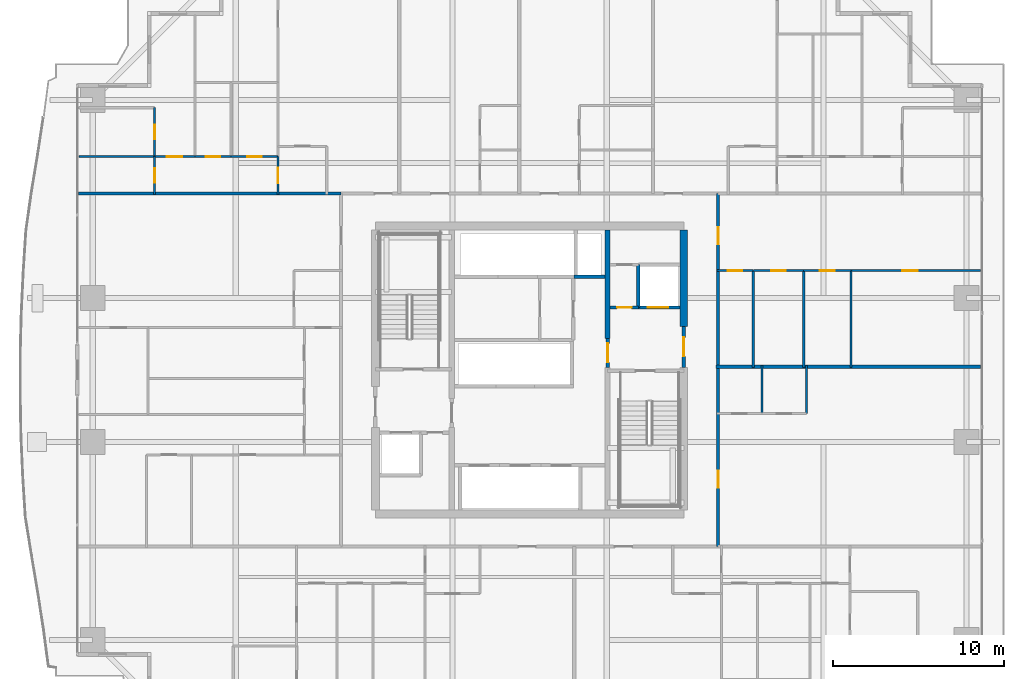
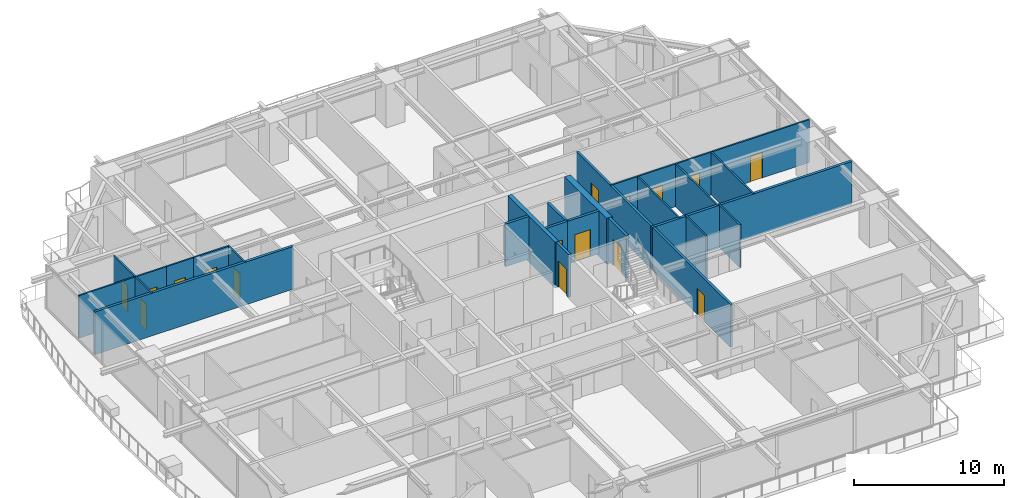
# One storey, part 25 of 34: 27 walls, 16 doors, 16 openings.
"""IFC4 building model written with IfcOpenShell, lengths in metres."""

from ifc_helpers import new_model, si_unit, direction, frame, frame_2d, origin, place, context, subcontext, project, spatial, rectangle, extrude, source, transform, mapped, material, layer, layer_set, type_object, element, fill, save


model = new_model("IFC4")

# Units and contexts
model_context = context("Model", 3, precision=1e-05, world=origin(), true_north=direction((0.0, 1.0)))
body_context = subcontext(model_context, "Body", "Model", "MODEL_VIEW")
ifc_project = project(units=[si_unit("LENGTHUNIT", "METRE"), si_unit("AREAUNIT", "SQUARE_METRE"), si_unit("VOLUMEUNIT", "CUBIC_METRE"), si_unit("PLANEANGLEUNIT", "RADIAN"), si_unit("MASSUNIT", "GRAM", prefix="KILO")], contexts=[model_context])

# Site, building, storey
site_placement = place(None, origin())
site = spatial("IfcSite", under=ifc_project, at=site_placement, CompositionType="ELEMENT")
building_placement = place(site_placement, origin())
building = spatial("IfcBuilding", under=site, at=building_placement, Name="Serunith Strait Residences", CompositionType="ELEMENT")
storey_placement = place(building_placement, frame((0.0, 0.0, 101.699951171875)))
storey = spatial("IfcBuildingStorey", under=building, at=storey_placement, Name="L25", CompositionType="ELEMENT", Elevation=101.699951171875)

# Wall, openings, doors
ifc_material_1 = material(Name="Fire-rated acoustic gypsum partition")
ifc_layer_1 = layer(ifc_material_1, 0.179931640625, Name="Fire-rated acoustic gypsum partition")
ifc_layer_set_1 = layer_set([ifc_layer_1], Name="Fire-rated acoustic gypsum partition")
wall_type_1 = type_object("IfcWallType", Name="IW-CORR-180", PredefinedType="PARTITIONING", material=ifc_layer_set_1)
wall_1_placement = place(storey_placement, frame((43.39990234375, 14.89990234375, 0.0), z_axis=(0.0, 0.0, 1.0), x_axis=(0.0, 1.0, 0.0)))
wall_1 = element("IfcWall", 1, at=wall_1_placement, inside=storey, type_object=wall_type_1, Name="L25 Partition Wall 027", PredefinedType="PARTITIONING", context=body_context, shape_type="SweptSolid", body=[
    extrude(rectangle(XDim=20.60009765625, YDim=0.179931640625, at=frame_2d((10.300048828125, 0.0))), origin(), (0.0, 0.0, 1.0), 3.489990234375),
])
opening_1_placement = place(wall_1_placement, frame((3.429931640625, 0.0, 0.0)))
opening_1 = element("IfcOpeningElement", 2, at=opening_1_placement, cuts=wall_1, Name="Opening D-APT1000", PredefinedType="OPENING", context=body_context, shape_type="SweptSolid", body=[
    extrude(rectangle(XDim=1.0, YDim=2.14990234375, at=frame_2d((0.5, 1.074951171875))), frame((0.0, 0.10009765625, 0.0), z_axis=(0.0, -1.0, 0.0), x_axis=(1.0, 0.0, 0.0)), (0.0, 0.0, 1.0), 0.199951171875),
])
opening_2_placement = place(wall_1_placement, frame((17.639892578125, 0.0, 0.0)))
opening_2 = element("IfcOpeningElement", 3, at=opening_2_placement, cuts=wall_1, Name="Opening D-APT1000", PredefinedType="OPENING", context=body_context, shape_type="SweptSolid", body=[
    extrude(rectangle(XDim=1.0, YDim=2.14990234375, at=frame_2d((0.5, 1.074951171875))), frame((0.0, 0.10009765625, 0.0), z_axis=(0.0, -1.0, 0.0), x_axis=(1.0, 0.0, 0.0)), (0.0, 0.0, 1.0), 0.199951171875),
])
ifc_material_2 = material(Name="Solid timber engineered fire door", Category="wood")
door_type_1 = type_object("IfcDoorType", Name="ID-APT-1000", OperationType="NOTDEFINED", PredefinedType="DOOR", material=ifc_material_2)
shared_shape_1 = source(origin(), body_context, "Body", "SweptSolid", [
    extrude(rectangle(XDim=1.0, YDim=2.14990234375, at=frame_2d((0.5, 1.074951171875))), frame((0.0, 0.02490234375, 0.0), z_axis=(0.0, -1.0, 0.0), x_axis=(1.0, 0.0, 0.0)), (0.0, 0.0, 1.0), 0.050048828125),
])
door_1_placement = place(opening_1_placement, origin())
door_1 = element("IfcDoor", 4, at=door_1_placement, inside=storey, type_object=door_type_1, Name="L25 Unit 08 Entrance Door", OperationType="SINGLE_SWING_RIGHT", OverallHeight=2.14990234375, OverallWidth=1.0, PredefinedType="DOOR", context=body_context, shape_type="MappedRepresentation", body=[
    mapped(shared_shape_1, transform((0.0, 0.0, 0.0), scale=1.0)),
])
fill(opening_1, door_1)
door_2_placement = place(opening_2_placement, origin())
door_2 = element("IfcDoor", 5, at=door_2_placement, inside=storey, type_object=door_type_1, Name="L25 Unit 09 Entrance Door", OperationType="SINGLE_SWING_LEFT", OverallHeight=2.14990234375, OverallWidth=1.0, PredefinedType="DOOR", context=body_context, shape_type="MappedRepresentation", body=[
    mapped(shared_shape_1, transform((0.0, 0.0, 0.0), scale=1.0)),
])
fill(opening_2, door_2)

# Wall, opening, door
ifc_material_3 = material(Name="Lightweight steel-stud gypsum partition", Category="steel")
ifc_layer_2 = layer(ifc_material_3, 0.1201171875, Name="Lightweight steel-stud gypsum partition")
ifc_layer_set_2 = layer_set([ifc_layer_2], Name="Lightweight steel-stud gypsum partition")
wall_type_2 = type_object("IfcWallType", Name="IW-PART-120", PredefinedType="PARTITIONING", material=ifc_layer_set_2)
wall_2_placement = place(storey_placement, frame((17.7099609375, 37.64990234375, 0.0), z_axis=(0.0, 0.0, 1.0), x_axis=(0.0, -1.0, 0.0)))
wall_2 = element("IfcWall", 6, at=wall_2_placement, inside=storey, type_object=wall_type_2, Name="L25 Partition Wall 064", PredefinedType="PARTITIONING", context=body_context, shape_type="SweptSolid", body=[
    extrude(rectangle(XDim=2.2099609375, YDim=0.1201171875, at=frame_2d((1.10498046875, 0.0))), origin(), (0.0, 0.0, 1.0), 3.489990234375),
])
opening_3_placement = place(wall_2_placement, frame((0.655029296875, 0.0, 0.0)))
opening_3 = element("IfcOpeningElement", 7, at=opening_3_placement, cuts=wall_2, Name="Opening D-RM900", PredefinedType="OPENING", context=body_context, shape_type="SweptSolid", body=[
    extrude(rectangle(XDim=0.89990234375, YDim=2.10009765625, at=frame_2d((0.449951171875, 1.050048828125))), frame((0.0, 0.070068359375, 0.0), z_axis=(0.0, -1.0, 0.0), x_axis=(1.0, 0.0, 0.0)), (0.0, 0.0, 1.0), 0.14013671875),
])
ifc_material_4 = material(Name="Engineered timber flush bedroom door", Category="wood")
door_type_2 = type_object("IfcDoorType", Name="ID-ROOM-900", OperationType="NOTDEFINED", PredefinedType="DOOR", material=ifc_material_4)
shared_shape_2 = source(origin(), body_context, "Body", "SweptSolid", [
    extrude(rectangle(XDim=0.89990234375, YDim=2.10009765625, at=frame_2d((0.449951171875, 1.050048828125))), frame((0.0, 0.02490234375, 0.0), z_axis=(0.0, -1.0, 0.0), x_axis=(1.0, 0.0, 0.0)), (0.0, 0.0, 1.0), 0.050048828125),
])
door_3_placement = place(opening_3_placement, origin())
door_3 = element("IfcDoor", 8, at=door_3_placement, inside=storey, type_object=door_type_2, Name="L25 Hall W 2503 Door", OperationType="SINGLE_SWING_LEFT", OverallHeight=2.10009765625, OverallWidth=0.89990234375, PredefinedType="DOOR", context=body_context, shape_type="MappedRepresentation", body=[
    mapped(shared_shape_2, transform((0.0, 0.0, 0.0), scale=1.0)),
])
fill(opening_3, door_3)

wall_3_placement = place(storey_placement, frame((12.860107421875, 37.64990234375, 0.0), z_axis=(0.0, 0.0, 1.0), x_axis=(1.0, 0.0, 0.0)))
wall_3 = element("IfcWall", 9, at=wall_3_placement, inside=storey, type_object=wall_type_2, Name="L25 Partition Wall 070", PredefinedType="PARTITIONING", context=body_context, shape_type="SweptSolid", body=[
    extrude(rectangle(XDim=2.099853515625, YDim=0.1201171875, at=frame_2d((1.0498046875, 0.0))), origin(), (0.0, 0.0, 1.0), 3.489990234375),
])
opening_4_placement = place(wall_3_placement, frame((0.625, 0.0, 0.0)))
opening_4 = element("IfcOpeningElement", 10, at=opening_4_placement, cuts=wall_3, Name="Opening D-BTH850", PredefinedType="OPENING", context=body_context, shape_type="SweptSolid", body=[
    extrude(rectangle(XDim=0.85009765625, YDim=2.10009765625, at=frame_2d((0.425048828125, 1.050048828125))), frame((0.0, 0.070068359375, 0.0), z_axis=(0.0, -1.0, 0.0), x_axis=(1.0, 0.0, 0.0)), (0.0, 0.0, 1.0), 0.14013671875),
])
ifc_material_5 = material(Name="Moisture-resistant timber bathroom door", Category="wood")
door_type_3 = type_object("IfcDoorType", Name="ID-BATH-850", OperationType="NOTDEFINED", PredefinedType="DOOR", material=ifc_material_5)
shared_shape_3 = source(origin(), body_context, "Body", "SweptSolid", [
    extrude(rectangle(XDim=0.85009765625, YDim=2.10009765625, at=frame_2d((0.425048828125, 1.050048828125))), frame((0.0, 0.02490234375, 0.0), z_axis=(0.0, -1.0, 0.0), x_axis=(1.0, 0.0, 0.0)), (0.0, 0.0, 1.0), 0.050048828125),
])
door_4_placement = place(opening_4_placement, origin())
door_4 = element("IfcDoor", 11, at=door_4_placement, inside=storey, type_object=door_type_3, Name="L25 Bathroom 2503 Door", OperationType="SINGLE_SWING_LEFT", OverallHeight=2.10009765625, OverallWidth=0.85009765625, PredefinedType="DOOR", context=body_context, shape_type="MappedRepresentation", body=[
    mapped(shared_shape_3, transform((0.0, 0.0, 0.0), scale=1.0)),
])
fill(opening_4, door_4)

wall_4_placement = place(storey_placement, frame((14.9619140625, 37.64990234375, 0.0), z_axis=(0.0, 0.0, 1.0), x_axis=(1.0, 0.0, 0.0)))
wall_4 = element("IfcWall", 12, at=wall_4_placement, inside=storey, type_object=wall_type_2, Name="L25 Partition Wall 071", PredefinedType="PARTITIONING", context=body_context, shape_type="SweptSolid", body=[
    extrude(rectangle(XDim=2.748046875, YDim=0.1201171875, at=frame_2d((1.3740234375, 0.0))), origin(), (0.0, 0.0, 1.0), 3.489990234375),
])
opening_5_placement = place(wall_4_placement, frame((0.948974609375, 0.0, 0.0)))
opening_5 = element("IfcOpeningElement", 13, at=opening_5_placement, cuts=wall_4, Name="Opening D-RM850", PredefinedType="OPENING", context=body_context, shape_type="SweptSolid", body=[
    extrude(rectangle(XDim=0.85009765625, YDim=2.10009765625, at=frame_2d((0.425048828125, 1.050048828125))), frame((0.0, 0.070068359375, 0.0), z_axis=(0.0, -1.0, 0.0), x_axis=(1.0, 0.0, 0.0)), (0.0, 0.0, 1.0), 0.14013671875),
])
ifc_material_6 = material(Name="Engineered timber flush study and kitchen door", Category="wood")
door_type_4 = type_object("IfcDoorType", Name="ID-ROOM-850", OperationType="NOTDEFINED", PredefinedType="DOOR", material=ifc_material_6)
door_5_placement = place(opening_5_placement, origin())
door_5 = element("IfcDoor", 14, at=door_5_placement, inside=storey, type_object=door_type_4, Name="L25 Formal Dining Room 2503 Door", OperationType="SINGLE_SWING_RIGHT", OverallHeight=2.10009765625, OverallWidth=0.85009765625, PredefinedType="DOOR", context=body_context, shape_type="MappedRepresentation", body=[
    mapped(shared_shape_3, transform((0.0, 0.0, 0.0), scale=1.0)),
])
fill(opening_5, door_5)

wall_5_placement = place(storey_placement, frame((10.510009765625, 37.64990234375, 0.0), z_axis=(0.0, 0.0, 1.0), x_axis=(1.0, 0.0, 0.0)))
wall_5 = element("IfcWall", 15, at=wall_5_placement, inside=storey, type_object=wall_type_2, Name="L25 Partition Wall 072", PredefinedType="PARTITIONING", context=body_context, shape_type="SweptSolid", body=[
    extrude(rectangle(XDim=2.347900390625, YDim=0.1201171875, at=frame_2d((1.173828125, 0.0))), origin(), (0.0, 0.0, 1.0), 3.489990234375),
])
opening_6_placement = place(wall_5_placement, frame((0.72412109375, 0.0, 0.0)))
opening_6 = element("IfcOpeningElement", 16, at=opening_6_placement, cuts=wall_5, Name="Opening D-RM900", PredefinedType="OPENING", context=body_context, shape_type="SweptSolid", body=[
    extrude(rectangle(XDim=0.89990234375, YDim=2.10009765625, at=frame_2d((0.449951171875, 1.050048828125))), frame((0.0, 0.070068359375, 0.0), z_axis=(0.0, -1.0, 0.0), x_axis=(1.0, 0.0, 0.0)), (0.0, 0.0, 1.0), 0.14013671875),
])
door_6_placement = place(opening_6_placement, origin())
door_6 = element("IfcDoor", 17, at=door_6_placement, inside=storey, type_object=door_type_2, Name="L25 Master Bedroom W 2503 Door", OperationType="SINGLE_SWING_LEFT", OverallHeight=2.10009765625, OverallWidth=0.89990234375, PredefinedType="DOOR", context=body_context, shape_type="MappedRepresentation", body=[
    mapped(shared_shape_2, transform((0.0, 0.0, 0.0), scale=1.0)),
])
fill(opening_6, door_6)

# Wall
wall_6_placement = place(storey_placement, frame((6.094970703125, 37.64990234375, 0.0), z_axis=(0.0, 0.0, 1.0), x_axis=(1.0, 0.0, 0.0)))
element("IfcWall", 18, at=wall_6_placement, inside=storey, type_object=wall_type_2, Name="L25 Partition Wall 074", PredefinedType="PARTITIONING", context=body_context, shape_type="SweptSolid", body=[
    extrude(rectangle(XDim=4.4130859375, YDim=0.1201171875, at=frame_2d((2.20654296875, 0.0))), origin(), (0.0, 0.0, 1.0), 3.489990234375),
])

# Wall, opening, door
wall_7_placement = place(storey_placement, frame((10.510009765625, 40.506103515625, 0.0), z_axis=(0.0, 0.0, 1.0), x_axis=(0.0, -1.0, 0.0)))
wall_7 = element("IfcWall", 19, at=wall_7_placement, inside=storey, type_object=wall_type_2, Name="L25 Partition Wall 075", PredefinedType="PARTITIONING", context=body_context, shape_type="SweptSolid", body=[
    extrude(rectangle(XDim=2.856201171875, YDim=0.1201171875, at=frame_2d((1.42822265625, 0.0))), origin(), (0.0, 0.0, 1.0), 3.489990234375),
])
opening_7_placement = place(wall_7_placement, frame((1.0029296875, 0.0, 0.0)))
opening_7 = element("IfcOpeningElement", 20, at=opening_7_placement, cuts=wall_7, Name="Opening D-BTH850", PredefinedType="OPENING", context=body_context, shape_type="SweptSolid", body=[
    extrude(rectangle(XDim=0.85009765625, YDim=2.10009765625, at=frame_2d((0.425048828125, 1.050048828125))), frame((0.0, 0.070068359375, 0.0), z_axis=(0.0, -1.0, 0.0), x_axis=(1.0, 0.0, 0.0)), (0.0, 0.0, 1.0), 0.14013671875),
])
door_7_placement = place(opening_7_placement, origin())
door_7 = element("IfcDoor", 21, at=door_7_placement, inside=storey, type_object=door_type_3, Name="L25 En-suite Bathroom W 2503 Door", OperationType="SINGLE_SWING_RIGHT", OverallHeight=2.10009765625, OverallWidth=0.85009765625, PredefinedType="DOOR", context=body_context, shape_type="MappedRepresentation", body=[
    mapped(shared_shape_3, transform((0.0, 0.0, 0.0), scale=1.0)),
])
fill(opening_7, door_7)

wall_8_placement = place(storey_placement, frame((10.510009765625, 37.64794921875, 0.0), z_axis=(0.0, 0.0, 1.0), x_axis=(0.0, -1.0, 0.0)))
wall_8 = element("IfcWall", 22, at=wall_8_placement, inside=storey, type_object=wall_type_2, Name="L25 Partition Wall 076", PredefinedType="PARTITIONING", context=body_context, shape_type="SweptSolid", body=[
    extrude(rectangle(XDim=2.2080078125, YDim=0.1201171875, at=frame_2d((1.10400390625, 0.0))), origin(), (0.0, 0.0, 1.0), 3.489990234375),
])
opening_8_placement = place(wall_8_placement, frame((0.678955078125, 0.0, 0.0)))
opening_8 = element("IfcOpeningElement", 23, at=opening_8_placement, cuts=wall_8, Name="Opening D-RM850", PredefinedType="OPENING", context=body_context, shape_type="SweptSolid", body=[
    extrude(rectangle(XDim=0.85009765625, YDim=2.10009765625, at=frame_2d((0.425048828125, 1.050048828125))), frame((0.0, 0.070068359375, 0.0), z_axis=(0.0, -1.0, 0.0), x_axis=(1.0, 0.0, 0.0)), (0.0, 0.0, 1.0), 0.14013671875),
])
door_8_placement = place(opening_8_placement, origin())
door_8 = element("IfcDoor", 24, at=door_8_placement, inside=storey, type_object=door_type_4, Name="L25 Wardrobe W 2503 Door", OperationType="SINGLE_SWING_LEFT", OverallHeight=2.10009765625, OverallWidth=0.85009765625, PredefinedType="DOOR", context=body_context, shape_type="MappedRepresentation", body=[
    mapped(shared_shape_3, transform((0.0, 0.0, 0.0), scale=1.0)),
])
fill(opening_8, door_8)

# Walls
for number, where, z_axis, x_axis, name in (
    (25, (45.949951171875, 22.64990234375, 0.0), (0.0, 0.0, 1.0), (0.0, 1.0, 0.0), "L25 Partition Wall 118"),
    (26, (48.550048828125, 22.64990234375, 0.0), (0.0, 0.0, 1.0), (0.0, 1.0, 0.0), "L25 Partition Wall 119"),
):
    element("IfcWall", number, at=place(storey_placement, frame(where, z_axis=z_axis, x_axis=x_axis)), inside=storey, type_object=wall_type_2, Name=name, PredefinedType="PARTITIONING", context=body_context, shape_type="SweptSolid", body=[
        extrude(rectangle(XDim=2.81005859375, YDim=0.1201171875, at=frame_2d((1.405029296875, 0.0))), origin(), (0.0, 0.0, 1.0), 3.489990234375),
    ])

# Wall, opening, door
wall_9_placement = place(storey_placement, frame((58.705078125, 31.0, 0.0), z_axis=(0.0, 0.0, 1.0), x_axis=(-1.0, 0.0, 0.0)))
wall_9 = element("IfcWall", 27, at=wall_9_placement, inside=storey, type_object=wall_type_2, Name="L25 Partition Wall 120", PredefinedType="PARTITIONING", context=body_context, shape_type="SweptSolid", body=[
    extrude(rectangle(XDim=7.55908203125, YDim=0.1201171875, at=frame_2d((3.779541015625, 0.0))), origin(), (0.0, 0.0, 1.0), 3.489990234375),
])
opening_9_placement = place(wall_9_placement, frame((3.662109375, 0.0, 0.0)))
opening_9 = element("IfcOpeningElement", 28, at=opening_9_placement, cuts=wall_9, Name="Opening D-RM900", PredefinedType="OPENING", context=body_context, shape_type="SweptSolid", body=[
    extrude(rectangle(XDim=0.89990234375, YDim=2.10009765625, at=frame_2d((0.449951171875, 1.050048828125))), frame((0.0, 0.070068359375, 0.0), z_axis=(0.0, -1.0, 0.0), x_axis=(1.0, 0.0, 0.0)), (0.0, 0.0, 1.0), 0.14013671875),
])
door_9_placement = place(opening_9_placement, origin())
door_9 = element("IfcDoor", 29, at=door_9_placement, inside=storey, type_object=door_type_2, Name="L25 Master Bedroom 1 2509 Door", OperationType="SINGLE_SWING_RIGHT", OverallHeight=2.10009765625, OverallWidth=0.89990234375, PredefinedType="DOOR", context=body_context, shape_type="MappedRepresentation", body=[
    mapped(shared_shape_2, transform((0.0, 0.0, 0.0), scale=1.0)),
])
fill(opening_9, door_9)

# Walls
for number, where, z_axis, x_axis, name in (
    (30, (51.14599609375, 25.340087890625, 0.0), (0.0, 0.0, 1.0), (0.0, 1.0, 0.0), "L25 Partition Wall 121"),
    (31, (48.39599609375, 25.340087890625, 0.0), (0.0, 0.0, 1.0), (0.0, 1.0, 0.0), "L25 Partition Wall 122"),
    (32, (45.449951171875, 25.340087890625, 0.0), (0.0, 0.0, 1.0), (0.0, 1.0, 0.0), "L25 Partition Wall 123"),
):
    element("IfcWall", number, at=place(storey_placement, frame(where, z_axis=z_axis, x_axis=x_axis)), inside=storey, type_object=wall_type_2, Name=name, PredefinedType="PARTITIONING", context=body_context, shape_type="SweptSolid", body=[
        extrude(rectangle(XDim=5.659912109375, YDim=0.1201171875, at=frame_2d((2.830078125, 0.0))), origin(), (0.0, 0.0, 1.0), 3.489990234375),
    ])

# Wall, opening, door
wall_10_placement = place(storey_placement, frame((51.14404296875, 31.0, 0.0), z_axis=(0.0, 0.0, 1.0), x_axis=(-1.0, 0.0, 0.0)))
wall_10 = element("IfcWall", 33, at=wall_10_placement, inside=storey, type_object=wall_type_2, Name="L25 Partition Wall 124", PredefinedType="PARTITIONING", context=body_context, shape_type="SweptSolid", body=[
    extrude(rectangle(XDim=2.748046875, YDim=0.1201171875, at=frame_2d((1.3740234375, 0.0))), origin(), (0.0, 0.0, 1.0), 3.489990234375),
])
opening_10_placement = place(wall_10_placement, frame((0.948974609375, 0.0, 0.0)))
opening_10 = element("IfcOpeningElement", 34, at=opening_10_placement, cuts=wall_10, Name="Opening D-RM850", PredefinedType="OPENING", context=body_context, shape_type="SweptSolid", body=[
    extrude(rectangle(XDim=0.85009765625, YDim=2.10009765625, at=frame_2d((0.425048828125, 1.050048828125))), frame((0.0, 0.070068359375, 0.0), z_axis=(0.0, -1.0, 0.0), x_axis=(1.0, 0.0, 0.0)), (0.0, 0.0, 1.0), 0.14013671875),
])
door_10_placement = place(opening_10_placement, origin())
door_10 = element("IfcDoor", 35, at=door_10_placement, inside=storey, type_object=door_type_4, Name="L25 Dining 2509 Door", OperationType="SINGLE_SWING_LEFT", OverallHeight=2.10009765625, OverallWidth=0.85009765625, PredefinedType="DOOR", context=body_context, shape_type="MappedRepresentation", body=[
    mapped(shared_shape_3, transform((0.0, 0.0, 0.0), scale=1.0)),
])
fill(opening_10, door_10)

wall_11_placement = place(storey_placement, frame((48.39404296875, 31.0, 0.0), z_axis=(0.0, 0.0, 1.0), x_axis=(-1.0, 0.0, 0.0)))
wall_11 = element("IfcWall", 36, at=wall_11_placement, inside=storey, type_object=wall_type_2, Name="L25 Partition Wall 125", PredefinedType="PARTITIONING", context=body_context, shape_type="SweptSolid", body=[
    extrude(rectangle(XDim=2.944091796875, YDim=0.1201171875, at=frame_2d((1.47216796875, 0.0))), origin(), (0.0, 0.0, 1.0), 3.489990234375),
])
opening_11_placement = place(wall_11_placement, frame((1.047119140625, 0.0, 0.0)))
opening_11 = element("IfcOpeningElement", 37, at=opening_11_placement, cuts=wall_11, Name="Opening D-RM850", PredefinedType="OPENING", context=body_context, shape_type="SweptSolid", body=[
    extrude(rectangle(XDim=0.85009765625, YDim=2.10009765625, at=frame_2d((0.425048828125, 1.050048828125))), frame((0.0, 0.070068359375, 0.0), z_axis=(0.0, -1.0, 0.0), x_axis=(1.0, 0.0, 0.0)), (0.0, 0.0, 1.0), 0.14013671875),
])
door_11_placement = place(opening_11_placement, origin())
door_11 = element("IfcDoor", 38, at=door_11_placement, inside=storey, type_object=door_type_4, Name="L25 Kitchen 2509 Door", OperationType="SINGLE_SWING_RIGHT", OverallHeight=2.10009765625, OverallWidth=0.85009765625, PredefinedType="DOOR", context=body_context, shape_type="MappedRepresentation", body=[
    mapped(shared_shape_3, transform((0.0, 0.0, 0.0), scale=1.0)),
])
fill(opening_11, door_11)

wall_12_placement = place(storey_placement, frame((45.447998046875, 31.0, 0.0), z_axis=(0.0, 0.0, 1.0), x_axis=(-1.0, 0.0, 0.0)))
wall_12 = element("IfcWall", 39, at=wall_12_placement, inside=storey, type_object=wall_type_2, Name="L25 Partition Wall 126", PredefinedType="PARTITIONING", context=body_context, shape_type="SweptSolid", body=[
    extrude(rectangle(XDim=2.10791015625, YDim=0.1201171875, at=frame_2d((1.053955078125, 0.0))), origin(), (0.0, 0.0, 1.0), 3.489990234375),
])
opening_12_placement = place(wall_12_placement, frame((0.62890625, 0.0, 0.0)))
opening_12 = element("IfcOpeningElement", 40, at=opening_12_placement, cuts=wall_12, Name="Opening D-BTH850", PredefinedType="OPENING", context=body_context, shape_type="SweptSolid", body=[
    extrude(rectangle(XDim=0.85009765625, YDim=2.10009765625, at=frame_2d((0.425048828125, 1.050048828125))), frame((0.0, 0.070068359375, 0.0), z_axis=(0.0, -1.0, 0.0), x_axis=(1.0, 0.0, 0.0)), (0.0, 0.0, 1.0), 0.14013671875),
])
door_12_placement = place(opening_12_placement, origin())
door_12 = element("IfcDoor", 41, at=door_12_placement, inside=storey, type_object=door_type_3, Name="L25 Bathroom 2509 Door", OperationType="SINGLE_SWING_LEFT", OverallHeight=2.10009765625, OverallWidth=0.85009765625, PredefinedType="DOOR", context=body_context, shape_type="MappedRepresentation", body=[
    mapped(shared_shape_3, transform((0.0, 0.0, 0.0), scale=1.0)),
])
fill(opening_12, door_12)

# Walls
ifc_material_7 = material(Name="Twin-stud acoustic gypsum board partition")
ifc_layer_3 = layer(ifc_material_7, 0.199951171875, Name="Twin-stud acoustic gypsum board partition")
ifc_layer_set_3 = layer_set([ifc_layer_3], Name="Twin-stud acoustic gypsum board partition")
wall_type_3 = type_object("IfcWallType", Name="IW-PARTY-200", PredefinedType="PARTITIONING", material=ifc_layer_set_3)
wall_13_placement = place(storey_placement, frame((43.280029296875, 25.39990234375, 0.0), z_axis=(0.0, 0.0, 1.0), x_axis=(1.0, 0.0, 0.0)))
element("IfcWall", 42, at=wall_13_placement, inside=storey, type_object=wall_type_3, Name="L25 Partition Wall 019", PredefinedType="PARTITIONING", context=body_context, shape_type="SweptSolid", body=[
    extrude(rectangle(XDim=15.43798828125, YDim=0.199951171875, at=frame_2d((7.718994140625, 0.0))), origin(), (0.0, 0.0, 1.0), 3.489990234375),
])
wall_14_placement = place(storey_placement, frame((6.08203125, 35.5, 0.0), z_axis=(0.0, 0.0, 1.0), x_axis=(1.0, 0.0, 0.0)))
element("IfcWall", 43, at=wall_14_placement, inside=storey, type_object=wall_type_3, Name="L25 Partition Wall 022", PredefinedType="PARTITIONING", context=body_context, shape_type="SweptSolid", body=[
    extrude(rectangle(XDim=15.31787109375, YDim=0.199951171875, at=frame_2d((7.658935546875, 0.0))), origin(), (0.0, 0.0, 1.0), 3.489990234375),
])

# Wall, opening, door
ifc_material_8 = material(Name="Autoclaved aerated concrete blockwork", Category="masonry")
ifc_layer_4 = layer(ifc_material_8, 0.199951171875, Name="Autoclaved aerated concrete blockwork")
ifc_layer_set_4 = layer_set([ifc_layer_4], Name="Autoclaved aerated concrete blockwork")
wall_type_4 = type_object("IfcWallType", Name="IW-SHAFT-200", PredefinedType="STANDARD", material=ifc_layer_set_4)
wall_15_placement = place(storey_placement, frame((38.75, 28.85009765625, 0.0), z_axis=(0.0, 0.0, 1.0), x_axis=(1.0, 0.0, 0.0)))
wall_15 = element("IfcWall", 44, at=wall_15_placement, inside=storey, type_object=wall_type_4, Name="L25 FL-2 South Shaft Wall", PredefinedType="STANDARD", context=body_context, shape_type="SweptSolid", body=[
    extrude(rectangle(XDim=2.425048828125, YDim=0.199951171875, at=frame_2d((1.21240234375, 0.0))), origin(), (0.0, 0.0, 1.0), 3.489990234375),
])
opening_13_placement = place(wall_15_placement, frame((0.550048828125, 0.0, 0.0)))
opening_13 = element("IfcOpeningElement", 45, at=opening_13_placement, cuts=wall_15, Name="Opening LD-FF1200", PredefinedType="OPENING", context=body_context, shape_type="SweptSolid", body=[
    extrude(rectangle(XDim=1.199951171875, YDim=2.199951171875, at=frame_2d((0.60009765625, 1.10009765625))), frame((0.0, 0.10986328125, 0.0), z_axis=(0.0, -1.0, 0.0), x_axis=(1.0, 0.0, 0.0)), (0.0, 0.0, 1.0), 0.219970703125),
])
ifc_material_9 = material(Name="Brushed stainless steel landing door", Category="steel")
door_type_5 = type_object("IfcDoorType", Name="LD-FF-1200", OperationType="DOUBLE_DOOR_SLIDING", PredefinedType="DOOR", material=ifc_material_9)
shared_shape_4 = source(origin(), body_context, "Body", "SweptSolid", [
    extrude(rectangle(XDim=1.199951171875, YDim=2.199951171875, at=frame_2d((0.60009765625, 1.10009765625))), frame((0.0, 0.02490234375, 0.0), z_axis=(0.0, -1.0, 0.0), x_axis=(1.0, 0.0, 0.0)), (0.0, 0.0, 1.0), 0.050048828125),
])
door_13_placement = place(opening_13_placement, origin())
door_13 = element("IfcDoor", 46, at=door_13_placement, inside=storey, type_object=door_type_5, Name="L25 FL-2 Landing Door", OperationType="DOUBLE_DOOR_SLIDING", OverallHeight=2.199951171875, OverallWidth=1.199951171875, PredefinedType="DOOR", context=body_context, shape_type="MappedRepresentation", body=[
    mapped(shared_shape_4, transform((0.0, 0.0, 0.0), scale=1.0)),
])
fill(opening_13, door_13)

# Walls
wall_16_placement = place(storey_placement, frame((35.0, 30.64990234375, 0.0), z_axis=(0.0, 0.0, 1.0), x_axis=(1.0, 0.0, 0.0)))
element("IfcWall", 47, at=wall_16_placement, inside=storey, type_object=wall_type_4, Name="L25 SL-1 South Shaft Wall", PredefinedType="STANDARD", context=body_context, shape_type="SweptSolid", body=[
    extrude(rectangle(XDim=1.800048828125, YDim=0.199951171875, at=frame_2d((0.89990234375, 0.0))), origin(), (0.0, 0.0, 1.0), 3.489990234375),
])
wall_17_placement = place(storey_placement, frame((38.75, 28.85009765625, 0.0), z_axis=(0.0, 0.0, 1.0), x_axis=(0.0, 1.0, 0.0)))
element("IfcWall", 48, at=wall_17_placement, inside=storey, type_object=wall_type_4, Name="L25 Partition Wall 004", PredefinedType="STANDARD", context=body_context, shape_type="SweptSolid", body=[
    extrude(rectangle(XDim=2.5, YDim=0.199951171875, at=frame_2d((1.25, 0.0))), origin(), (0.0, 0.0, 1.0), 3.489990234375),
])

# Wall, opening, door
wall_18_placement = place(storey_placement, frame((37.10009765625, 28.85009765625, 0.0), z_axis=(0.0, 0.0, 1.0), x_axis=(1.0, 0.0, 0.0)))
wall_18 = element("IfcWall", 49, at=wall_18_placement, inside=storey, type_object=wall_type_4, Name="L25 Partition Wall 006", PredefinedType="STANDARD", context=body_context, shape_type="SweptSolid", body=[
    extrude(rectangle(XDim=1.64794921875, YDim=0.199951171875, at=frame_2d((0.823974609375, 0.0))), origin(), (0.0, 0.0, 1.0), 3.489990234375),
])
opening_14_placement = place(wall_18_placement, frame((0.39892578125, 0.0, 0.0)))
opening_14 = element("IfcOpeningElement", 50, at=opening_14_placement, cuts=wall_18, Name="Opening FD-850", PredefinedType="OPENING", context=body_context, shape_type="SweptSolid", body=[
    extrude(rectangle(XDim=0.85009765625, YDim=2.10009765625, at=frame_2d((0.425048828125, 1.050048828125))), frame((0.0, 0.10986328125, 0.0), z_axis=(0.0, -1.0, 0.0), x_axis=(1.0, 0.0, 0.0)), (0.0, 0.0, 1.0), 0.219970703125),
])
ifc_material_10 = material(Name="Powder-coated steel service closet door", Category="steel")
door_type_6 = type_object("IfcDoorType", Name="FD-BOH-850", OperationType="NOTDEFINED", PredefinedType="DOOR", material=ifc_material_10)
door_14_placement = place(opening_14_placement, origin())
door_14 = element("IfcDoor", 51, at=door_14_placement, inside=storey, type_object=door_type_6, Name="L25 North-East Core Service Door", OperationType="SINGLE_SWING_LEFT", OverallHeight=2.10009765625, OverallWidth=0.85009765625, PredefinedType="DOOR", context=body_context, shape_type="MappedRepresentation", body=[
    mapped(shared_shape_3, transform((0.0, 0.0, 0.0), scale=1.0)),
])
fill(opening_14, door_14)

wall_19_placement = place(storey_placement, frame((41.39990234375, 25.35205078125, 0.0), z_axis=(0.0, 0.0, 1.0), x_axis=(0.0, 1.0, 0.0)))
wall_19 = element("IfcWall", 52, at=wall_19_placement, inside=storey, type_object=wall_type_4, Name="L25 Partition Wall 008", PredefinedType="STANDARD", context=body_context, shape_type="SweptSolid", body=[
    extrude(rectangle(XDim=2.39599609375, YDim=0.199951171875, at=frame_2d((1.197998046875, 0.0))), origin(), (0.0, 0.0, 1.0), 3.489990234375),
])
opening_15_placement = place(wall_19_placement, frame((0.64794921875, 0.0, 0.0)))
opening_15 = element("IfcOpeningElement", 53, at=opening_15_placement, cuts=wall_19, Name="Opening FD-FFL", PredefinedType="OPENING", context=body_context, shape_type="SweptSolid", body=[
    extrude(rectangle(XDim=1.10009765625, YDim=2.14990234375, at=frame_2d((0.550048828125, 1.074951171875))), frame((0.0, 0.10986328125, 0.0), z_axis=(0.0, -1.0, 0.0), x_axis=(1.0, 0.0, 0.0)), (0.0, 0.0, 1.0), 0.219970703125),
])
ifc_material_11 = material(Name="Glazed steel smoke-lobby fire door", Category="steel")
door_type_7 = type_object("IfcDoorType", Name="FD-FFL-1100", OperationType="NOTDEFINED", PredefinedType="DOOR", material=ifc_material_11)
shared_shape_5 = source(origin(), body_context, "Body", "SweptSolid", [
    extrude(rectangle(XDim=1.10009765625, YDim=2.14990234375, at=frame_2d((0.550048828125, 1.074951171875))), frame((0.0, 0.02490234375, 0.0), z_axis=(0.0, -1.0, 0.0), x_axis=(1.0, 0.0, 0.0)), (0.0, 0.0, 1.0), 0.050048828125),
])
door_15_placement = place(opening_15_placement, origin())
door_15 = element("IfcDoor", 54, at=door_15_placement, inside=storey, type_object=door_type_7, Name="L25 FFL-2 Corridor Fire Door", OperationType="SINGLE_SWING_LEFT", OverallHeight=2.14990234375, OverallWidth=1.10009765625, PredefinedType="DOOR", context=body_context, shape_type="MappedRepresentation", body=[
    mapped(shared_shape_5, transform((0.0, 0.0, 0.0), scale=1.0)),
])
fill(opening_15, door_15)

wall_20_placement = place(storey_placement, frame((36.949951171875, 25.35205078125, 0.0), z_axis=(0.0, 0.0, 1.0), x_axis=(0.0, 1.0, 0.0)))
wall_20 = element("IfcWall", 55, at=wall_20_placement, inside=storey, type_object=wall_type_4, Name="L25 Partition Wall 010", PredefinedType="STANDARD", context=body_context, shape_type="SweptSolid", body=[
    extrude(rectangle(XDim=1.696044921875, YDim=0.199951171875, at=frame_2d((0.84814453125, 0.0))), origin(), (0.0, 0.0, 1.0), 3.489990234375),
])
opening_16_placement = place(wall_20_placement, frame((0.298095703125, 0.0, 0.0)))
opening_16 = element("IfcOpeningElement", 56, at=opening_16_placement, cuts=wall_20, Name="Opening FD-FFL", PredefinedType="OPENING", context=body_context, shape_type="SweptSolid", body=[
    extrude(rectangle(XDim=1.10009765625, YDim=2.14990234375, at=frame_2d((0.550048828125, 1.074951171875))), frame((0.0, 0.10986328125, 0.0), z_axis=(0.0, -1.0, 0.0), x_axis=(1.0, 0.0, 0.0)), (0.0, 0.0, 1.0), 0.219970703125),
])
door_16_placement = place(opening_16_placement, origin())
door_16 = element("IfcDoor", 57, at=door_16_placement, inside=storey, type_object=door_type_7, Name="L25 FFL-2 Lift Lobby Door", OperationType="SINGLE_SWING_LEFT", OverallHeight=2.14990234375, OverallWidth=1.10009765625, PredefinedType="DOOR", context=body_context, shape_type="MappedRepresentation", body=[
    mapped(shared_shape_5, transform((0.0, 0.0, 0.0), scale=1.0)),
])
fill(opening_16, door_16)

# Walls
ifc_material_12 = material(Name="Concrete C80/95", Category="concrete")
ifc_layer_5 = layer(ifc_material_12, 0.300048828125, Name="Concrete C80/95")
ifc_layer_set_5 = layer_set([ifc_layer_5], Name="Concrete C80/95")
wall_type_5 = type_object("IfcWallType", Name="SW-300-C80", PredefinedType="SHEAR", material=ifc_layer_set_5)
wall_21_placement = place(storey_placement, frame((36.949951171875, 27.050048828125, -0.260009765625), z_axis=(0.0, 0.0, 1.0), x_axis=(0.0, 1.0, 0.0)))
element("IfcWall", 58, at=wall_21_placement, inside=storey, type_object=wall_type_5, Name="L25 Core Internal East Web North Pier", PredefinedType="SHEAR", context=body_context, shape_type="SweptSolid", body=[
    extrude(rectangle(XDim=6.324951171875, YDim=0.300048828125, at=frame_2d((3.16259765625, 0.0))), origin(), (0.0, 0.0, 1.0), 3.748046875),
])
ifc_layer_6 = layer(ifc_material_12, 0.449951171875, Name="Concrete C80/95")
ifc_layer_set_6 = layer_set([ifc_layer_6], Name="Concrete C80/95")
wall_type_6 = type_object("IfcWallType", Name="SW-450-C80", PredefinedType="SHEAR", material=ifc_layer_set_6)
wall_22_placement = place(storey_placement, frame((41.39990234375, 27.75, -0.260009765625), z_axis=(0.0, 0.0, 1.0), x_axis=(0.0, 1.0, 0.0)))
element("IfcWall", 59, at=wall_22_placement, inside=storey, type_object=wall_type_6, Name="L25 Core East Shear Wall North Pier", PredefinedType="SHEAR", context=body_context, shape_type="SweptSolid", body=[
    extrude(rectangle(XDim=5.625, YDim=0.449951171875, at=frame_2d((2.8125, 0.0))), origin(), (0.0, 0.0, 1.0), 3.748046875),
])

save(model, "model.ifc")
